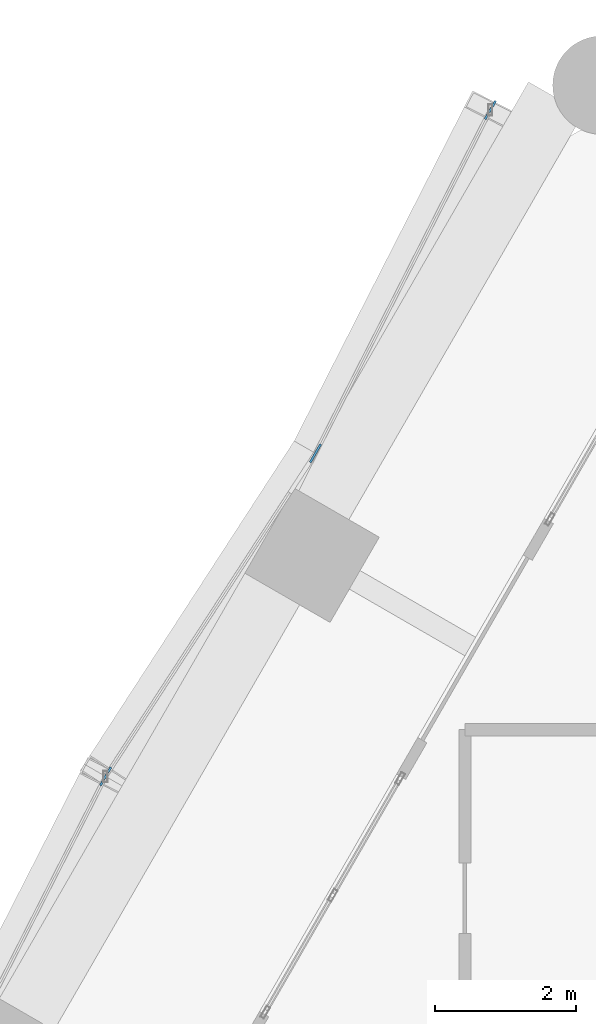
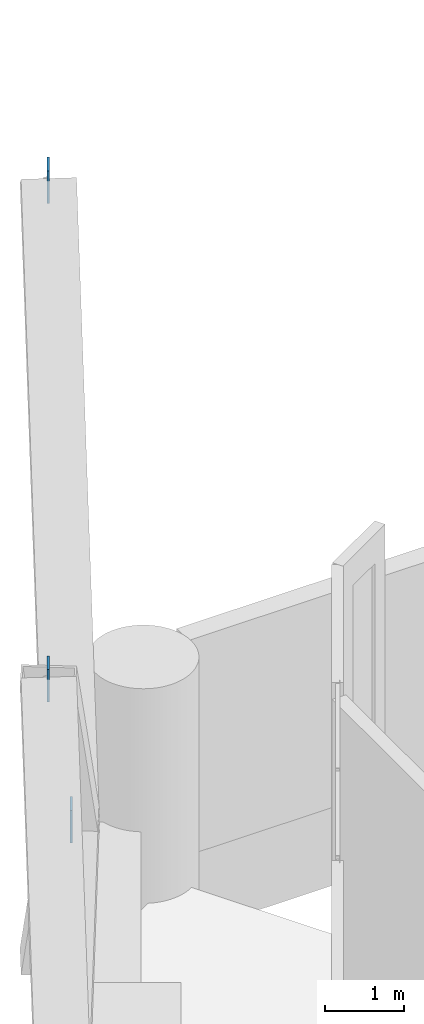
# One storey, part 44 of 46: 3 discrete accessories.
"""IFC4 building model written with IfcOpenShell, lengths in metres."""

from ifc_helpers import new_model, si_unit, direction, frame, origin, origin_2d, place, context, subcontext, project, spatial, rectangle, extrude, material, layer, layer_set, type_object, element, save


model = new_model("IFC4")

# Units and contexts
model_context = context("Model", 3, precision=1e-05, world=origin(), true_north=direction((0.0, 1.0)))
body_context = subcontext(model_context, "Body", "Model", "MODEL_VIEW")
ifc_project = project(units=[si_unit("LENGTHUNIT", "METRE"), si_unit("AREAUNIT", "SQUARE_METRE"), si_unit("VOLUMEUNIT", "CUBIC_METRE"), si_unit("PLANEANGLEUNIT", "RADIAN"), si_unit("MASSUNIT", "GRAM", prefix="KILO")], contexts=[model_context])

# Site, building, storey
site_placement = place(None, origin())
site = spatial("IfcSite", under=ifc_project, at=site_placement, CompositionType="ELEMENT")
building_placement = place(site_placement, origin())
building = spatial("IfcBuilding", under=site, at=building_placement, Name="Ostrander Bayou Hotel Tower", CompositionType="ELEMENT")
storey_placement = place(building_placement, frame((0.0, 0.0, 23.5)))
storey = spatial("IfcBuildingStorey", under=building, at=storey_placement, Name="L05", CompositionType="ELEMENT", Elevation=23.5)

# Discrete accessories
ifc_material = material(Name="Steel ASTM A572 Gr 50", Category="steel")
ifc_layer = layer(ifc_material, 0.030029296875)
ifc_layer_set = layer_set([ifc_layer], Name="GP1 gusset plate 30 mm")
discrete_accessory_type = type_object("IfcDiscreteAccessoryType", Name="GP1 gusset plate 30 mm", PredefinedType="BRACKET", material=ifc_layer_set)
for number, where, z_axis, x_axis, name in (
    (1, (-16.126953125, 15.63330078125, 5.14990234375), (0.0, 0.0, 1.0), (-0.5, -0.866025403784, 0.0), "GP1 gusset plate lat 41"),
    (2, (-13.637939453125, 20.5185546875, 11.14990234375), (0.0, 0.0, 1.0), (-0.5, -0.866025403784, 0.0), "GP1 gusset plate lat 42"),
    (3, (-19.11328125, 11.034912109375, 11.14990234375), (0.0, 0.0, 1.0), (-0.5, -0.866025403784, 0.0), "GP1 gusset plate lat 43"),
):
    element("IfcDiscreteAccessory", number, at=place(storey_placement, frame(where, z_axis=z_axis, x_axis=x_axis)), inside=storey, type_object=discrete_accessory_type, Name=name, PredefinedType="BRACKET", context=body_context, shape_type="SweptSolid", body=[
        extrude(rectangle(XDim=0.300048828125, YDim=0.030029296875, at=origin_2d()), origin(), (0.0, 0.0, 1.0), 0.5),
    ])

save(model, "model.ifc")
